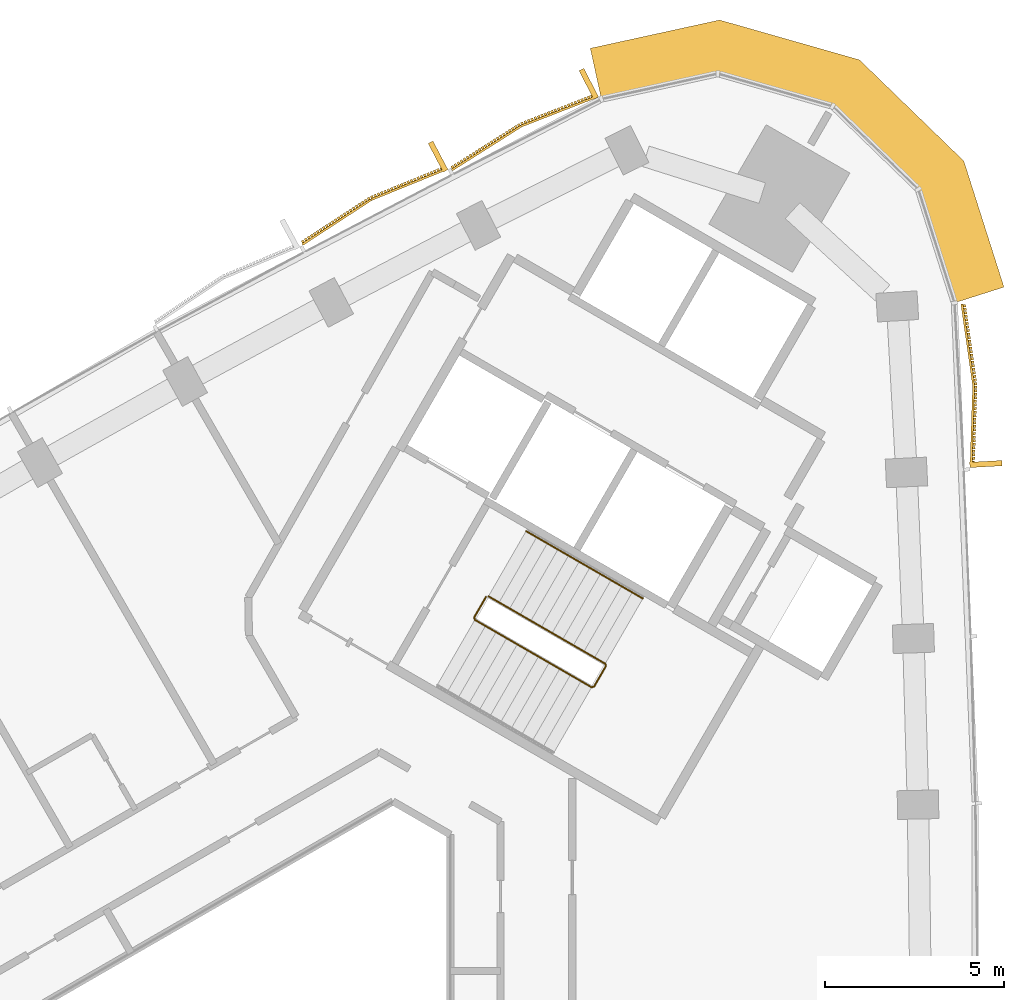
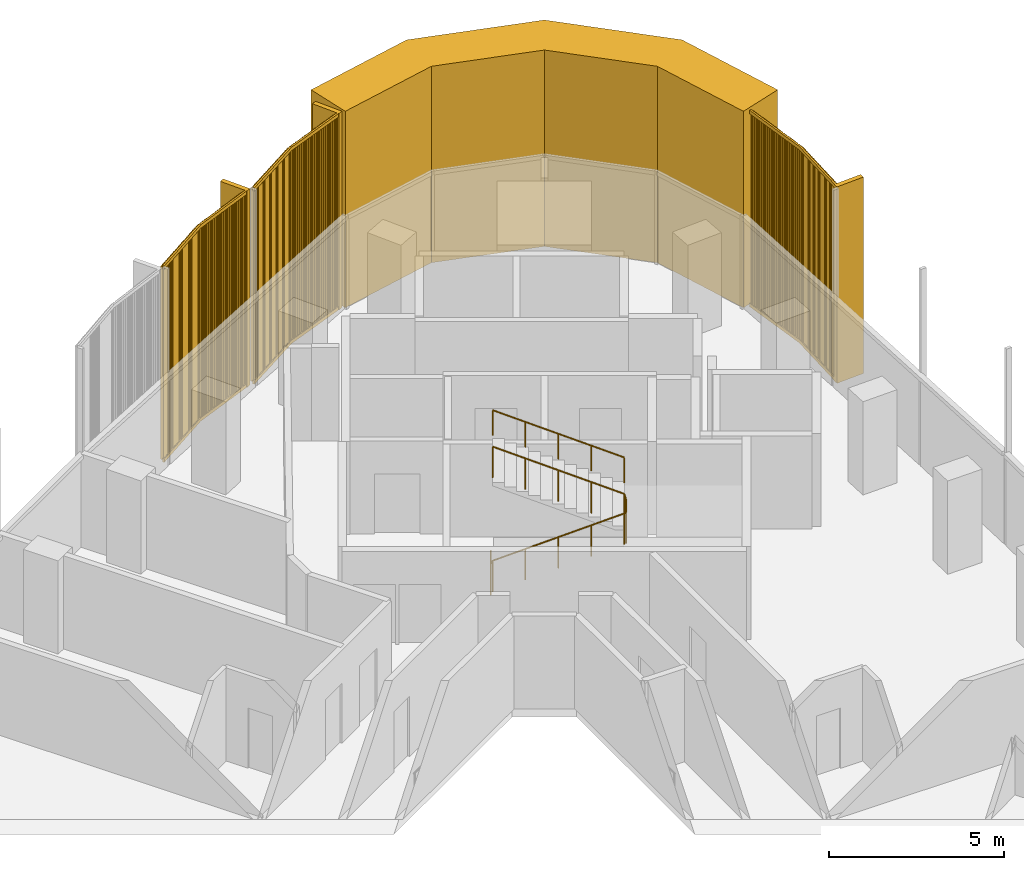
# One storey, part 14 of 14: 4 coverings, 2 railings.
"""IFC4 building model written with IfcOpenShell, lengths in metres."""

from ifc_helpers import new_model, si_unit, direction, frame, frame_2d, origin, origin_2d, place, context, subcontext, project, spatial, polyline, rectangle, circle, outline, extrude, source, transform, mapped, material, layer, layer_set, type_object, element, save


model = new_model("IFC4")

# Units and contexts
model_context = context("Model", 3, precision=1e-05, world=origin(), true_north=direction((0.0, 1.0)))
body_context = subcontext(model_context, "Body", "Model", "MODEL_VIEW")
ifc_project = project(units=[si_unit("LENGTHUNIT", "METRE"), si_unit("AREAUNIT", "SQUARE_METRE"), si_unit("VOLUMEUNIT", "CUBIC_METRE"), si_unit("PLANEANGLEUNIT", "RADIAN"), si_unit("MASSUNIT", "GRAM", prefix="KILO")], contexts=[model_context])

# Site, building, storey
site_placement = place(None, origin())
site = spatial("IfcSite", under=ifc_project, at=site_placement, CompositionType="ELEMENT")
building_placement = place(site_placement, origin())
building = spatial("IfcBuilding", under=site, at=building_placement, Name="Tamra Quay Hotel Tower", CompositionType="ELEMENT")
storey_placement = place(building_placement, frame((0.0, 0.0, 175.60009765625)))
storey = spatial("IfcBuildingStorey", under=building, at=storey_placement, Name="L43", CompositionType="ELEMENT", Elevation=175.60009765625)

# Covering
ifc_material_1 = material(Name="Precast concrete M60 terracotta-coloured", Category="masonry")
ifc_layer = layer(ifc_material_1, 1.449951171875)
ifc_layer_set = layer_set([ifc_layer], Name="CORNER PIER PANEL")
covering_type_1 = type_object("IfcCoveringType", Name="CORNER PIER PANEL", PredefinedType="CLADDING", material=ifc_layer_set)
covering_1_placement = place(storey_placement, origin())
element("IfcCovering", 1, at=covering_1_placement, inside=storey, type_object=covering_type_1, Name="Corner pier L43.east", PredefinedType="CLADDING", context=body_context, shape_type="SweptSolid", body=[
    extrude(outline(polyline([(18.665283203125, 20.955078125), (20.047119140625, 21.39501953125), (18.9267578125, 24.913330078125), (16.013916015625, 27.737060546875), (12.1123046875, 28.84765625), (8.505126953125, 28.058837890625), (8.81494140625, 26.642333984375), (12.06591796875, 27.353271484375), (15.2666015625, 26.4423828125), (17.65576171875, 24.1259765625), (18.665283203125, 20.955078125)])), origin(), (0.0, 0.0, 1.0), 6.849853515625),
])

# Railings
ifc_material_2 = material(Name="Stair guard 1100")
railing_type_1 = type_object("IfcRailingType", Name="Stair guard 1100", PredefinedType="GUARDRAIL", material=ifc_material_2)
railing_1_placement = place(storey_placement, frame((5.595458984375, 12.751953125, 0.0)))
element("IfcRailing", 2, at=railing_1_placement, inside=storey, type_object=railing_type_1, Name="GR", PredefinedType="GUARDRAIL", context=body_context, shape_type="SweptSolid", body=[
    extrude(circle(Radius=0.02392578125, at=origin_2d()), frame((0.0, 0.0, 1.076171875), z_axis=(-0.499765215335, -0.866160914346, 0.0), x_axis=(0.866160914346, -0.499765215335, 0.0)), (0.0, 0.0, 1.0), 0.658935546875),
    extrude(circle(Radius=0.02392578125, at=origin_2d()), frame((-0.329345703125, -0.57080078125, 1.076171875), z_axis=(0.110525977783, -0.411156637351, 0.904839338113), x_axis=(0.965715946433, 0.259601060869, 0.0)), (0.0, 0.0, 1.0), 0.165771484375),
    extrude(circle(Radius=0.02392578125, at=origin_2d()), frame((-0.31103515625, -0.638916015625, 1.22607421875), z_axis=(0.793078462799, -0.457933869594, 0.401650498471), x_axis=(0.500040788363, 0.866001853331, 0.0)), (0.0, 0.0, 1.0), 4.10791015625),
    extrude(circle(Radius=0.02392578125, at=origin_2d()), frame((2.94677734375, -2.52001953125, 2.8759765625), z_axis=(0.965948051503, 0.258736085224, 0.0), x_axis=(-0.258736085224, 0.965948051503, 0.0)), (0.0, 0.0, 1.0), 0.07080078125),
    extrude(circle(Radius=0.02392578125, at=origin_2d()), frame((3.01513671875, -2.501708984375, 2.8759765625), z_axis=(0.500043078269, 0.866000531106, 0.0), x_axis=(-0.866000531106, 0.500043078269, 0.0)), (0.0, 0.0, 1.0), 0.6591796875),
    extrude(circle(Radius=0.02392578125, at=origin_2d()), frame((3.3447265625, -1.930908203125, 2.8759765625), z_axis=(-0.110378772244, 0.410609032747, 0.905105932399), x_axis=(-0.965715946433, -0.259601060869, 0.0)), (0.0, 0.0, 1.0), 0.165771484375),
    extrude(circle(Radius=0.02392578125, at=origin_2d()), frame((3.326416015625, -1.86279296875, 3.02587890625), z_axis=(-0.793100512587, 0.457912285461, 0.401631567183), x_axis=(-0.500012686397, -0.866018079166, 0.0)), (0.0, 0.0, 1.0), 4.10791015625),
    extrude(circle(Radius=0.02099609375, at=origin_2d()), origin(), (0.0, 0.0, 1.0), 1.052001953125),
    extrude(circle(Radius=0.02099609375, at=origin_2d()), frame((-0.329345703125, -0.57080078125, 0.0)), (0.0, 0.0, 1.0), 1.052001953125),
    extrude(circle(Radius=0.02099609375, at=origin_2d()), frame((-0.31103515625, -0.638916015625, 0.14990234375)), (0.0, 0.0, 1.0), 1.052001953125),
    extrude(circle(Radius=0.02099609375, at=origin_2d()), frame((0.50341796875, -1.109130859375, 0.5625)), (0.0, 0.0, 1.0), 1.052001953125),
    extrude(circle(Radius=0.02099609375, at=origin_2d()), frame((1.31787109375, -1.57958984375, 0.974853515625)), (0.0, 0.0, 1.0), 1.052001953125),
    extrude(circle(Radius=0.02099609375, at=origin_2d()), frame((2.13232421875, -2.0498046875, 1.38720703125)), (0.0, 0.0, 1.0), 1.052001953125),
    extrude(circle(Radius=0.02099609375, at=origin_2d()), frame((2.94677734375, -2.52001953125, 1.7998046875)), (0.0, 0.0, 1.0), 1.052001953125),
    extrude(circle(Radius=0.02099609375, at=origin_2d()), frame((3.01513671875, -2.501708984375, 1.7998046875)), (0.0, 0.0, 1.0), 1.052001953125),
    extrude(circle(Radius=0.02099609375, at=origin_2d()), frame((3.3447265625, -1.930908203125, 1.7998046875)), (0.0, 0.0, 1.0), 1.052001953125),
    extrude(circle(Radius=0.02099609375, at=origin_2d()), frame((3.326416015625, -1.86279296875, 1.949951171875)), (0.0, 0.0, 1.0), 1.052001953125),
    extrude(circle(Radius=0.02099609375, at=origin_2d()), frame((2.511962890625, -1.392578125, 2.3623046875)), (0.0, 0.0, 1.0), 1.052001953125),
    extrude(circle(Radius=0.02099609375, at=origin_2d()), frame((1.697265625, -0.92236328125, 2.77490234375)), (0.0, 0.0, 1.0), 1.052001953125),
    extrude(circle(Radius=0.02099609375, at=origin_2d()), frame((0.8828125, -0.451904296875, 3.1875)), (0.0, 0.0, 1.0), 1.052001953125),
    extrude(circle(Radius=0.02099609375, at=origin_2d()), frame((0.068359375, 0.018310546875, 3.599853515625)), (0.0, 0.0, 1.0), 1.052001953125),
])
ifc_material_3 = material(Name="Stair handrail 900")
railing_type_2 = type_object("IfcRailingType", Name="Stair handrail 900", PredefinedType="HANDRAIL", material=ifc_material_3)
railing_2_placement = place(storey_placement, frame((9.971923828125, 12.7080078125, 1.949951171875)))
element("IfcRailing", 3, at=railing_2_placement, inside=storey, type_object=railing_type_2, Name="HR", PredefinedType="HANDRAIL", context=body_context, shape_type="SweptSolid", body=[
    extrude(circle(Radius=0.02392578125, at=origin_2d()), frame((0.0, 0.0, 0.8759765625), z_axis=(-0.793122095483, 0.45786531462, 0.401642496911), x_axis=(-0.499964013922, -0.86604617936, 0.0)), (0.0, 0.0, 1.0), 4.10791015625),
    extrude(circle(Radius=0.02099609375, at=origin_2d()), origin(), (0.0, 0.0, 1.0), 0.851806640625),
    extrude(circle(Radius=0.02099609375, at=origin_2d()), frame((-0.814453125, 0.47021484375, 0.41259765625)), (0.0, 0.0, 1.0), 0.851806640625),
    extrude(circle(Radius=0.02099609375, at=origin_2d()), frame((-1.62890625, 0.9404296875, 0.824951171875)), (0.0, 0.0, 1.0), 0.851806640625),
    extrude(circle(Radius=0.02099609375, at=origin_2d()), frame((-2.443603515625, 1.41064453125, 1.2373046875)), (0.0, 0.0, 1.0), 0.851806640625),
    extrude(circle(Radius=0.02099609375, at=origin_2d()), frame((-3.258056640625, 1.880859375, 1.64990234375)), (0.0, 0.0, 1.0), 0.851806640625),
])

# Coverings
ifc_material_4 = material(Name="Terracotta baguette extruded", Category="masonry")
covering_type_2 = type_object("IfcCoveringType", Name="BAGUETTE SCREEN E-V H6850", PredefinedType="USERDEFINED", material=ifc_material_4)
shared_shape_1 = source(origin(), body_context, "Body", "SweptSolid", [
    extrude(rectangle(XDim=2.291259765625, YDim=0.06005859375, at=frame_2d((1.1455078125, 0.030029296875))), frame((-2.287841796875, -0.057861328125, -0.1201171875), z_axis=(0.0, 0.0, 1.0), x_axis=(0.996194698092, -0.087155742748, 0.0)), (0.0, 0.0, 1.0), 0.1201171875),
    extrude(rectangle(XDim=2.291259765625, YDim=0.06005859375, at=frame_2d((1.1455078125, 0.030029296875))), frame((-2.287841796875, -0.057861328125, -6.85009765625), z_axis=(0.0, 0.0, 1.0), x_axis=(0.996194698092, -0.087155742748, 0.0)), (0.0, 0.0, 1.0), 0.1201171875),
    extrude(rectangle(XDim=0.070068359375, YDim=0.10009765625, at=frame_2d((0.03515625, 0.050048828125))), frame((-2.267822265625, -0.13232421875, -6.7900390625)), (0.0, 0.0, 1.0), 6.72998046875),
    extrude(rectangle(XDim=0.070068359375, YDim=0.10009765625, at=frame_2d((0.03515625, 0.050048828125))), frame((-2.168701171875, -0.14111328125, -6.7900390625)), (0.0, 0.0, 1.0), 6.72998046875),
    extrude(rectangle(XDim=0.070068359375, YDim=0.10009765625, at=frame_2d((0.03515625, 0.050048828125))), frame((-2.0693359375, -0.149658203125, -6.7900390625)), (0.0, 0.0, 1.0), 6.72998046875),
    extrude(rectangle(XDim=0.070068359375, YDim=0.10009765625, at=frame_2d((0.03515625, 0.050048828125))), frame((-1.97021484375, -0.158447265625, -6.7900390625)), (0.0, 0.0, 1.0), 6.72998046875),
    extrude(rectangle(XDim=0.070068359375, YDim=0.10009765625, at=frame_2d((0.03515625, 0.050048828125))), frame((-1.870849609375, -0.1669921875, -6.7900390625)), (0.0, 0.0, 1.0), 6.72998046875),
    extrude(rectangle(XDim=0.070068359375, YDim=0.10009765625, at=frame_2d((0.03515625, 0.050048828125))), frame((-1.771728515625, -0.17578125, -6.7900390625)), (0.0, 0.0, 1.0), 6.72998046875),
    extrude(rectangle(XDim=0.070068359375, YDim=0.10009765625, at=frame_2d((0.03515625, 0.050048828125))), frame((-1.67236328125, -0.184326171875, -6.7900390625)), (0.0, 0.0, 1.0), 6.72998046875),
    extrude(rectangle(XDim=0.070068359375, YDim=0.10009765625, at=frame_2d((0.03515625, 0.050048828125))), frame((-1.5732421875, -0.193115234375, -6.7900390625)), (0.0, 0.0, 1.0), 6.72998046875),
    extrude(rectangle(XDim=0.070068359375, YDim=0.10009765625, at=frame_2d((0.03515625, 0.050048828125))), frame((-1.473876953125, -0.201904296875, -6.7900390625)), (0.0, 0.0, 1.0), 6.72998046875),
    extrude(rectangle(XDim=0.070068359375, YDim=0.10009765625, at=frame_2d((0.03515625, 0.050048828125))), frame((-1.374755859375, -0.21044921875, -6.7900390625)), (0.0, 0.0, 1.0), 6.72998046875),
    extrude(rectangle(XDim=0.070068359375, YDim=0.10009765625, at=frame_2d((0.03515625, 0.050048828125))), frame((-1.275390625, -0.21923828125, -6.7900390625)), (0.0, 0.0, 1.0), 6.72998046875),
    extrude(rectangle(XDim=0.070068359375, YDim=0.10009765625, at=frame_2d((0.03515625, 0.050048828125))), frame((-1.17626953125, -0.227783203125, -6.7900390625)), (0.0, 0.0, 1.0), 6.72998046875),
    extrude(rectangle(XDim=0.070068359375, YDim=0.10009765625, at=frame_2d((0.03515625, 0.050048828125))), frame((-1.076904296875, -0.236572265625, -6.7900390625)), (0.0, 0.0, 1.0), 6.72998046875),
    extrude(rectangle(XDim=0.070068359375, YDim=0.10009765625, at=frame_2d((0.03515625, 0.050048828125))), frame((-0.977783203125, -0.2451171875, -6.7900390625)), (0.0, 0.0, 1.0), 6.72998046875),
    extrude(rectangle(XDim=0.070068359375, YDim=0.10009765625, at=frame_2d((0.03515625, 0.050048828125))), frame((-0.87841796875, -0.25390625, -6.7900390625)), (0.0, 0.0, 1.0), 6.72998046875),
    extrude(rectangle(XDim=0.070068359375, YDim=0.10009765625, at=frame_2d((0.03515625, 0.050048828125))), frame((-0.779296875, -0.2626953125, -6.7900390625)), (0.0, 0.0, 1.0), 6.72998046875),
    extrude(rectangle(XDim=0.070068359375, YDim=0.10009765625, at=frame_2d((0.03515625, 0.050048828125))), frame((-0.679931640625, -0.271240234375, -6.7900390625)), (0.0, 0.0, 1.0), 6.72998046875),
    extrude(rectangle(XDim=0.070068359375, YDim=0.10009765625, at=frame_2d((0.03515625, 0.050048828125))), frame((-0.580810546875, -0.280029296875, -6.7900390625)), (0.0, 0.0, 1.0), 6.72998046875),
    extrude(rectangle(XDim=0.070068359375, YDim=0.10009765625, at=frame_2d((0.03515625, 0.050048828125))), frame((-0.481689453125, -0.28857421875, -6.7900390625)), (0.0, 0.0, 1.0), 6.72998046875),
    extrude(rectangle(XDim=0.070068359375, YDim=0.10009765625, at=frame_2d((0.03515625, 0.050048828125))), frame((-0.38232421875, -0.29736328125, -6.7900390625)), (0.0, 0.0, 1.0), 6.72998046875),
    extrude(rectangle(XDim=0.070068359375, YDim=0.10009765625, at=frame_2d((0.03515625, 0.050048828125))), frame((-0.283203125, -0.305908203125, -6.7900390625)), (0.0, 0.0, 1.0), 6.72998046875),
    extrude(rectangle(XDim=0.070068359375, YDim=0.10009765625, at=frame_2d((0.03515625, 0.050048828125))), frame((-0.183837890625, -0.314697265625, -6.7900390625)), (0.0, 0.0, 1.0), 6.72998046875),
    extrude(rectangle(XDim=0.070068359375, YDim=0.10009765625, at=frame_2d((0.03515625, 0.050048828125))), frame((-0.084716796875, -0.3232421875, -6.7900390625)), (0.0, 0.0, 1.0), 6.72998046875),
    extrude(rectangle(XDim=2.291259765625, YDim=0.06005859375, at=frame_2d((1.1455078125, 0.030029296875))), frame((0.005126953125, -0.257568359375, -0.1201171875), z_axis=(0.0, 0.0, 1.0), x_axis=(0.996194698092, 0.087155742748, 0.0)), (0.0, 0.0, 1.0), 0.1201171875),
    extrude(rectangle(XDim=2.291259765625, YDim=0.06005859375, at=frame_2d((1.1455078125, 0.030029296875))), frame((0.005126953125, -0.257568359375, -6.85009765625), z_axis=(0.0, 0.0, 1.0), x_axis=(0.996194698092, 0.087155742748, 0.0)), (0.0, 0.0, 1.0), 0.1201171875),
    extrude(rectangle(XDim=0.070068359375, YDim=0.10009765625, at=frame_2d((0.03515625, 0.050048828125))), frame((0.0146484375, -0.3232421875, -6.7900390625)), (0.0, 0.0, 1.0), 6.72998046875),
    extrude(rectangle(XDim=0.070068359375, YDim=0.10009765625, at=frame_2d((0.03515625, 0.050048828125))), frame((0.11376953125, -0.314697265625, -6.7900390625)), (0.0, 0.0, 1.0), 6.72998046875),
    extrude(rectangle(XDim=0.070068359375, YDim=0.10009765625, at=frame_2d((0.03515625, 0.050048828125))), frame((0.213134765625, -0.305908203125, -6.7900390625)), (0.0, 0.0, 1.0), 6.72998046875),
    extrude(rectangle(XDim=0.070068359375, YDim=0.10009765625, at=frame_2d((0.03515625, 0.050048828125))), frame((0.312255859375, -0.29736328125, -6.7900390625)), (0.0, 0.0, 1.0), 6.72998046875),
    extrude(rectangle(XDim=0.070068359375, YDim=0.10009765625, at=frame_2d((0.03515625, 0.050048828125))), frame((0.41162109375, -0.28857421875, -6.7900390625)), (0.0, 0.0, 1.0), 6.72998046875),
    extrude(rectangle(XDim=0.070068359375, YDim=0.10009765625, at=frame_2d((0.03515625, 0.050048828125))), frame((0.5107421875, -0.280029296875, -6.7900390625)), (0.0, 0.0, 1.0), 6.72998046875),
    extrude(rectangle(XDim=0.070068359375, YDim=0.10009765625, at=frame_2d((0.03515625, 0.050048828125))), frame((0.610107421875, -0.271240234375, -6.7900390625)), (0.0, 0.0, 1.0), 6.72998046875),
    extrude(rectangle(XDim=0.070068359375, YDim=0.10009765625, at=frame_2d((0.03515625, 0.050048828125))), frame((0.709228515625, -0.2626953125, -6.7900390625)), (0.0, 0.0, 1.0), 6.72998046875),
    extrude(rectangle(XDim=0.070068359375, YDim=0.10009765625, at=frame_2d((0.03515625, 0.050048828125))), frame((0.80859375, -0.25390625, -6.7900390625)), (0.0, 0.0, 1.0), 6.72998046875),
    extrude(rectangle(XDim=0.070068359375, YDim=0.10009765625, at=frame_2d((0.03515625, 0.050048828125))), frame((0.90771484375, -0.2451171875, -6.7900390625)), (0.0, 0.0, 1.0), 6.72998046875),
    extrude(rectangle(XDim=0.070068359375, YDim=0.10009765625, at=frame_2d((0.03515625, 0.050048828125))), frame((1.007080078125, -0.236572265625, -6.7900390625)), (0.0, 0.0, 1.0), 6.72998046875),
    extrude(rectangle(XDim=0.070068359375, YDim=0.10009765625, at=frame_2d((0.03515625, 0.050048828125))), frame((1.106201171875, -0.227783203125, -6.7900390625)), (0.0, 0.0, 1.0), 6.72998046875),
    extrude(rectangle(XDim=0.070068359375, YDim=0.10009765625, at=frame_2d((0.03515625, 0.050048828125))), frame((1.20556640625, -0.21923828125, -6.7900390625)), (0.0, 0.0, 1.0), 6.72998046875),
    extrude(rectangle(XDim=0.070068359375, YDim=0.10009765625, at=frame_2d((0.03515625, 0.050048828125))), frame((1.3046875, -0.21044921875, -6.7900390625)), (0.0, 0.0, 1.0), 6.72998046875),
    extrude(rectangle(XDim=0.070068359375, YDim=0.10009765625, at=frame_2d((0.03515625, 0.050048828125))), frame((1.404052734375, -0.201904296875, -6.7900390625)), (0.0, 0.0, 1.0), 6.72998046875),
    extrude(rectangle(XDim=0.070068359375, YDim=0.10009765625, at=frame_2d((0.03515625, 0.050048828125))), frame((1.503173828125, -0.193115234375, -6.7900390625)), (0.0, 0.0, 1.0), 6.72998046875),
    extrude(rectangle(XDim=0.070068359375, YDim=0.10009765625, at=frame_2d((0.03515625, 0.050048828125))), frame((1.6025390625, -0.184326171875, -6.7900390625)), (0.0, 0.0, 1.0), 6.72998046875),
    extrude(rectangle(XDim=0.070068359375, YDim=0.10009765625, at=frame_2d((0.03515625, 0.050048828125))), frame((1.70166015625, -0.17578125, -6.7900390625)), (0.0, 0.0, 1.0), 6.72998046875),
    extrude(rectangle(XDim=0.070068359375, YDim=0.10009765625, at=frame_2d((0.03515625, 0.050048828125))), frame((1.801025390625, -0.1669921875, -6.7900390625)), (0.0, 0.0, 1.0), 6.72998046875),
    extrude(rectangle(XDim=0.070068359375, YDim=0.10009765625, at=frame_2d((0.03515625, 0.050048828125))), frame((1.900146484375, -0.158447265625, -6.7900390625)), (0.0, 0.0, 1.0), 6.72998046875),
    extrude(rectangle(XDim=0.070068359375, YDim=0.10009765625, at=frame_2d((0.03515625, 0.050048828125))), frame((1.99951171875, -0.149658203125, -6.7900390625)), (0.0, 0.0, 1.0), 6.72998046875),
    extrude(rectangle(XDim=0.070068359375, YDim=0.10009765625, at=frame_2d((0.03515625, 0.050048828125))), frame((2.0986328125, -0.14111328125, -6.7900390625)), (0.0, 0.0, 1.0), 6.72998046875),
    extrude(rectangle(XDim=0.070068359375, YDim=0.10009765625, at=frame_2d((0.03515625, 0.050048828125))), frame((2.197998046875, -0.13232421875, -6.7900390625)), (0.0, 0.0, 1.0), 6.72998046875),
    extrude(rectangle(XDim=0.14990234375, YDim=0.902099609375, at=frame_2d((0.074951171875, 0.451171875))), frame((-2.282470703125, -0.89990234375, -6.85009765625)), (0.0, 0.0, 1.0), 6.85009765625),
])
covering_2_placement = place(storey_placement, frame((18.97216796875, 18.638916015625, 6.849853515625), z_axis=(0.0, 0.0, 1.0), x_axis=(-0.055416978175, 0.998463298539, 0.0)))
element("IfcCovering", 4, at=covering_2_placement, inside=storey, type_object=covering_type_2, Name="Baguette screen L43.E.f08", ObjectType="BAGUETTE SCREEN", PredefinedType="USERDEFINED", context=body_context, shape_type="MappedRepresentation", body=[
    mapped(shared_shape_1, transform((0.0, 0.0, 0.0), scale=1.0)),
])
covering_type_3 = type_object("IfcCoveringType", Name="BAGUETTE SCREEN NW-V H6850", PredefinedType="USERDEFINED", material=ifc_material_4)
shared_shape_2 = source(origin(), body_context, "Body", "SweptSolid", [
    extrude(rectangle(XDim=2.29296875, YDim=0.06005859375, at=frame_2d((1.146484375, 0.030029296875))), frame((-2.288330078125, -0.0576171875, -0.1201171875), z_axis=(0.0, 0.0, 1.0), x_axis=(0.995396198367, -0.09584575252, 0.0)), (0.0, 0.0, 1.0), 0.1201171875),
    extrude(rectangle(XDim=2.29296875, YDim=0.06005859375, at=frame_2d((1.146484375, 0.030029296875))), frame((-2.288330078125, -0.0576171875, -6.85009765625), z_axis=(0.0, 0.0, 1.0), x_axis=(0.995396198367, -0.09584575252, 0.0)), (0.0, 0.0, 1.0), 0.1201171875),
    extrude(rectangle(XDim=0.070068359375, YDim=0.10009765625, at=frame_2d((0.03515625, 0.050048828125))), frame((-2.267822265625, -0.1328125, -6.7900390625)), (0.0, 0.0, 1.0), 6.72998046875),
    extrude(rectangle(XDim=0.070068359375, YDim=0.10009765625, at=frame_2d((0.03515625, 0.050048828125))), frame((-2.168701171875, -0.142333984375, -6.7900390625)), (0.0, 0.0, 1.0), 6.72998046875),
    extrude(rectangle(XDim=0.070068359375, YDim=0.10009765625, at=frame_2d((0.03515625, 0.050048828125))), frame((-2.0693359375, -0.15185546875, -6.7900390625)), (0.0, 0.0, 1.0), 6.72998046875),
    extrude(rectangle(XDim=0.070068359375, YDim=0.10009765625, at=frame_2d((0.03515625, 0.050048828125))), frame((-1.97021484375, -0.161376953125, -6.7900390625)), (0.0, 0.0, 1.0), 6.72998046875),
    extrude(rectangle(XDim=0.070068359375, YDim=0.10009765625, at=frame_2d((0.03515625, 0.050048828125))), frame((-1.870849609375, -0.1708984375, -6.7900390625)), (0.0, 0.0, 1.0), 6.72998046875),
    extrude(rectangle(XDim=0.070068359375, YDim=0.10009765625, at=frame_2d((0.03515625, 0.050048828125))), frame((-1.771728515625, -0.1806640625, -6.7900390625)), (0.0, 0.0, 1.0), 6.72998046875),
    extrude(rectangle(XDim=0.070068359375, YDim=0.10009765625, at=frame_2d((0.03515625, 0.050048828125))), frame((-1.67236328125, -0.190185546875, -6.7900390625)), (0.0, 0.0, 1.0), 6.72998046875),
    extrude(rectangle(XDim=0.070068359375, YDim=0.10009765625, at=frame_2d((0.03515625, 0.050048828125))), frame((-1.5732421875, -0.19970703125, -6.7900390625)), (0.0, 0.0, 1.0), 6.72998046875),
    extrude(rectangle(XDim=0.070068359375, YDim=0.10009765625, at=frame_2d((0.03515625, 0.050048828125))), frame((-1.473876953125, -0.209228515625, -6.7900390625)), (0.0, 0.0, 1.0), 6.72998046875),
    extrude(rectangle(XDim=0.070068359375, YDim=0.10009765625, at=frame_2d((0.03515625, 0.050048828125))), frame((-1.374755859375, -0.21875, -6.7900390625)), (0.0, 0.0, 1.0), 6.72998046875),
    extrude(rectangle(XDim=0.070068359375, YDim=0.10009765625, at=frame_2d((0.03515625, 0.050048828125))), frame((-1.275390625, -0.228271484375, -6.7900390625)), (0.0, 0.0, 1.0), 6.72998046875),
    extrude(rectangle(XDim=0.070068359375, YDim=0.10009765625, at=frame_2d((0.03515625, 0.050048828125))), frame((-1.17626953125, -0.23779296875, -6.7900390625)), (0.0, 0.0, 1.0), 6.72998046875),
    extrude(rectangle(XDim=0.070068359375, YDim=0.10009765625, at=frame_2d((0.03515625, 0.050048828125))), frame((-1.076904296875, -0.24755859375, -6.7900390625)), (0.0, 0.0, 1.0), 6.72998046875),
    extrude(rectangle(XDim=0.070068359375, YDim=0.10009765625, at=frame_2d((0.03515625, 0.050048828125))), frame((-0.977783203125, -0.257080078125, -6.7900390625)), (0.0, 0.0, 1.0), 6.72998046875),
    extrude(rectangle(XDim=0.070068359375, YDim=0.10009765625, at=frame_2d((0.03515625, 0.050048828125))), frame((-0.87841796875, -0.2666015625, -6.7900390625)), (0.0, 0.0, 1.0), 6.72998046875),
    extrude(rectangle(XDim=0.070068359375, YDim=0.10009765625, at=frame_2d((0.03515625, 0.050048828125))), frame((-0.779296875, -0.276123046875, -6.7900390625)), (0.0, 0.0, 1.0), 6.72998046875),
    extrude(rectangle(XDim=0.070068359375, YDim=0.10009765625, at=frame_2d((0.03515625, 0.050048828125))), frame((-0.679931640625, -0.28564453125, -6.7900390625)), (0.0, 0.0, 1.0), 6.72998046875),
    extrude(rectangle(XDim=0.070068359375, YDim=0.10009765625, at=frame_2d((0.03515625, 0.050048828125))), frame((-0.580810546875, -0.295166015625, -6.7900390625)), (0.0, 0.0, 1.0), 6.72998046875),
    extrude(rectangle(XDim=0.070068359375, YDim=0.10009765625, at=frame_2d((0.03515625, 0.050048828125))), frame((-0.481689453125, -0.3046875, -6.7900390625)), (0.0, 0.0, 1.0), 6.72998046875),
    extrude(rectangle(XDim=0.070068359375, YDim=0.10009765625, at=frame_2d((0.03515625, 0.050048828125))), frame((-0.38232421875, -0.314453125, -6.7900390625)), (0.0, 0.0, 1.0), 6.72998046875),
    extrude(rectangle(XDim=0.070068359375, YDim=0.10009765625, at=frame_2d((0.03515625, 0.050048828125))), frame((-0.283203125, -0.323974609375, -6.7900390625)), (0.0, 0.0, 1.0), 6.72998046875),
    extrude(rectangle(XDim=0.070068359375, YDim=0.10009765625, at=frame_2d((0.03515625, 0.050048828125))), frame((-0.183837890625, -0.33349609375, -6.7900390625)), (0.0, 0.0, 1.0), 6.72998046875),
    extrude(rectangle(XDim=0.070068359375, YDim=0.10009765625, at=frame_2d((0.03515625, 0.050048828125))), frame((-0.084716796875, -0.343017578125, -6.7900390625)), (0.0, 0.0, 1.0), 6.72998046875),
    extrude(rectangle(XDim=2.29296875, YDim=0.06005859375, at=frame_2d((1.146484375, 0.030029296875))), frame((0.005859375, -0.277587890625, -0.1201171875), z_axis=(0.0, 0.0, 1.0), x_axis=(0.995396198367, 0.09584575252, 0.0)), (0.0, 0.0, 1.0), 0.1201171875),
    extrude(rectangle(XDim=2.29296875, YDim=0.06005859375, at=frame_2d((1.146484375, 0.030029296875))), frame((0.005859375, -0.277587890625, -6.85009765625), z_axis=(0.0, 0.0, 1.0), x_axis=(0.995396198367, 0.09584575252, 0.0)), (0.0, 0.0, 1.0), 0.1201171875),
    extrude(rectangle(XDim=0.070068359375, YDim=0.10009765625, at=frame_2d((0.03515625, 0.050048828125))), frame((0.0146484375, -0.343017578125, -6.7900390625)), (0.0, 0.0, 1.0), 6.72998046875),
    extrude(rectangle(XDim=0.070068359375, YDim=0.10009765625, at=frame_2d((0.03515625, 0.050048828125))), frame((0.11376953125, -0.33349609375, -6.7900390625)), (0.0, 0.0, 1.0), 6.72998046875),
    extrude(rectangle(XDim=0.070068359375, YDim=0.10009765625, at=frame_2d((0.03515625, 0.050048828125))), frame((0.213134765625, -0.323974609375, -6.7900390625)), (0.0, 0.0, 1.0), 6.72998046875),
    extrude(rectangle(XDim=0.070068359375, YDim=0.10009765625, at=frame_2d((0.03515625, 0.050048828125))), frame((0.312255859375, -0.314453125, -6.7900390625)), (0.0, 0.0, 1.0), 6.72998046875),
    extrude(rectangle(XDim=0.070068359375, YDim=0.10009765625, at=frame_2d((0.03515625, 0.050048828125))), frame((0.41162109375, -0.3046875, -6.7900390625)), (0.0, 0.0, 1.0), 6.72998046875),
    extrude(rectangle(XDim=0.070068359375, YDim=0.10009765625, at=frame_2d((0.03515625, 0.050048828125))), frame((0.5107421875, -0.295166015625, -6.7900390625)), (0.0, 0.0, 1.0), 6.72998046875),
    extrude(rectangle(XDim=0.070068359375, YDim=0.10009765625, at=frame_2d((0.03515625, 0.050048828125))), frame((0.610107421875, -0.28564453125, -6.7900390625)), (0.0, 0.0, 1.0), 6.72998046875),
    extrude(rectangle(XDim=0.070068359375, YDim=0.10009765625, at=frame_2d((0.03515625, 0.050048828125))), frame((0.709228515625, -0.276123046875, -6.7900390625)), (0.0, 0.0, 1.0), 6.72998046875),
    extrude(rectangle(XDim=0.070068359375, YDim=0.10009765625, at=frame_2d((0.03515625, 0.050048828125))), frame((0.80859375, -0.2666015625, -6.7900390625)), (0.0, 0.0, 1.0), 6.72998046875),
    extrude(rectangle(XDim=0.070068359375, YDim=0.10009765625, at=frame_2d((0.03515625, 0.050048828125))), frame((0.90771484375, -0.257080078125, -6.7900390625)), (0.0, 0.0, 1.0), 6.72998046875),
    extrude(rectangle(XDim=0.070068359375, YDim=0.10009765625, at=frame_2d((0.03515625, 0.050048828125))), frame((1.007080078125, -0.24755859375, -6.7900390625)), (0.0, 0.0, 1.0), 6.72998046875),
    extrude(rectangle(XDim=0.070068359375, YDim=0.10009765625, at=frame_2d((0.03515625, 0.050048828125))), frame((1.106201171875, -0.23779296875, -6.7900390625)), (0.0, 0.0, 1.0), 6.72998046875),
    extrude(rectangle(XDim=0.070068359375, YDim=0.10009765625, at=frame_2d((0.03515625, 0.050048828125))), frame((1.20556640625, -0.228271484375, -6.7900390625)), (0.0, 0.0, 1.0), 6.72998046875),
    extrude(rectangle(XDim=0.070068359375, YDim=0.10009765625, at=frame_2d((0.03515625, 0.050048828125))), frame((1.3046875, -0.21875, -6.7900390625)), (0.0, 0.0, 1.0), 6.72998046875),
    extrude(rectangle(XDim=0.070068359375, YDim=0.10009765625, at=frame_2d((0.03515625, 0.050048828125))), frame((1.404052734375, -0.209228515625, -6.7900390625)), (0.0, 0.0, 1.0), 6.72998046875),
    extrude(rectangle(XDim=0.070068359375, YDim=0.10009765625, at=frame_2d((0.03515625, 0.050048828125))), frame((1.503173828125, -0.19970703125, -6.7900390625)), (0.0, 0.0, 1.0), 6.72998046875),
    extrude(rectangle(XDim=0.070068359375, YDim=0.10009765625, at=frame_2d((0.03515625, 0.050048828125))), frame((1.6025390625, -0.190185546875, -6.7900390625)), (0.0, 0.0, 1.0), 6.72998046875),
    extrude(rectangle(XDim=0.070068359375, YDim=0.10009765625, at=frame_2d((0.03515625, 0.050048828125))), frame((1.70166015625, -0.1806640625, -6.7900390625)), (0.0, 0.0, 1.0), 6.72998046875),
    extrude(rectangle(XDim=0.070068359375, YDim=0.10009765625, at=frame_2d((0.03515625, 0.050048828125))), frame((1.801025390625, -0.1708984375, -6.7900390625)), (0.0, 0.0, 1.0), 6.72998046875),
    extrude(rectangle(XDim=0.070068359375, YDim=0.10009765625, at=frame_2d((0.03515625, 0.050048828125))), frame((1.900146484375, -0.161376953125, -6.7900390625)), (0.0, 0.0, 1.0), 6.72998046875),
    extrude(rectangle(XDim=0.070068359375, YDim=0.10009765625, at=frame_2d((0.03515625, 0.050048828125))), frame((1.99951171875, -0.15185546875, -6.7900390625)), (0.0, 0.0, 1.0), 6.72998046875),
    extrude(rectangle(XDim=0.070068359375, YDim=0.10009765625, at=frame_2d((0.03515625, 0.050048828125))), frame((2.0986328125, -0.142333984375, -6.7900390625)), (0.0, 0.0, 1.0), 6.72998046875),
    extrude(rectangle(XDim=0.070068359375, YDim=0.10009765625, at=frame_2d((0.03515625, 0.050048828125))), frame((2.197998046875, -0.1328125, -6.7900390625)), (0.0, 0.0, 1.0), 6.72998046875),
    extrude(rectangle(XDim=0.14990234375, YDim=0.902099609375, at=frame_2d((0.074951171875, 0.451171875))), frame((-2.282470703125, -0.89990234375, -6.85009765625)), (0.0, 0.0, 1.0), 6.85009765625),
])
for number, where, z_axis, x_axis, name in (
    (5, (6.6962890625, 25.66943359375, 6.849853515625), (0.0, 0.0, 1.0), (-0.892403070369, -0.451239138369, 0.0), "Baguette screen L43.NW.f00"),
    (6, (2.509765625, 23.617431640625, 6.849853515625), (0.0, 0.0, 1.0), (-0.886075646342, -0.463540665918, 0.0), "Baguette screen L43.NW.f01"),
):
    element("IfcCovering", number, at=place(storey_placement, frame(where, z_axis=z_axis, x_axis=x_axis)), inside=storey, type_object=covering_type_3, Name=name, ObjectType="BAGUETTE SCREEN", PredefinedType="USERDEFINED", context=body_context, shape_type="MappedRepresentation", body=[
        mapped(shared_shape_2, transform((0.0, 0.0, 0.0), scale=1.0)),
    ])

save(model, "model.ifc")
